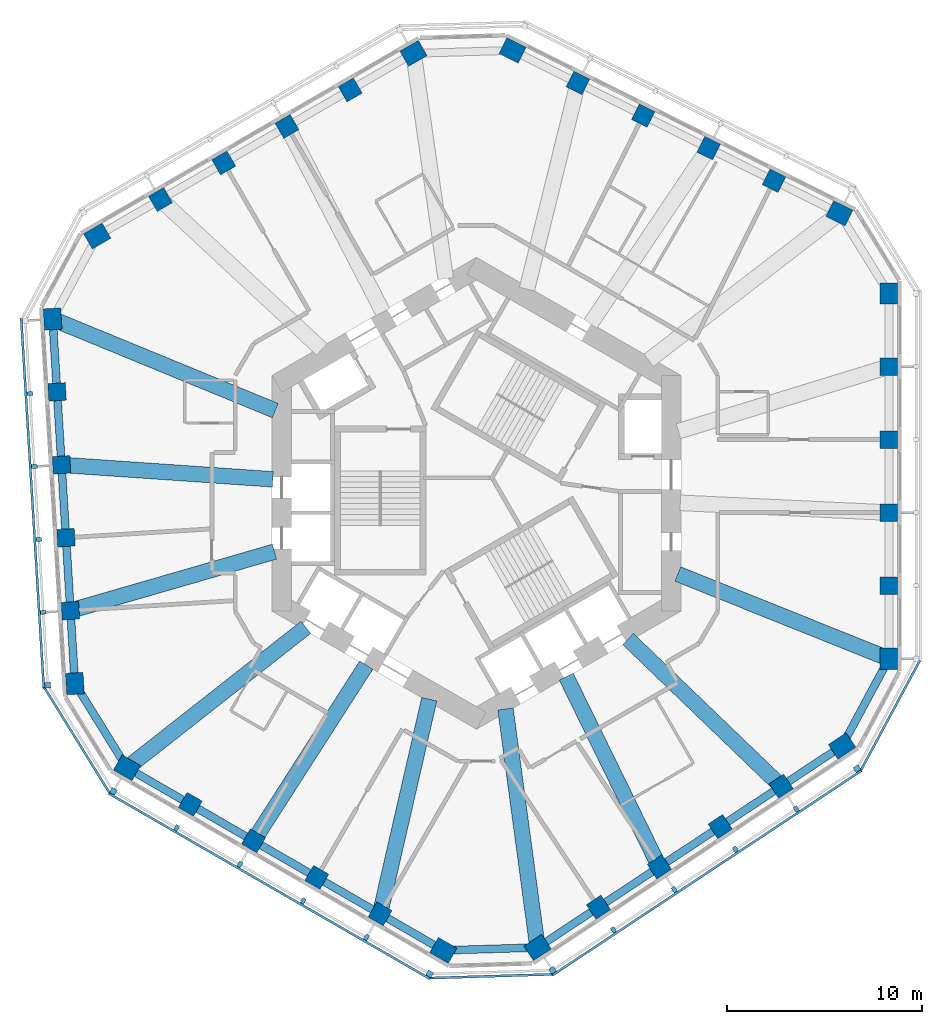
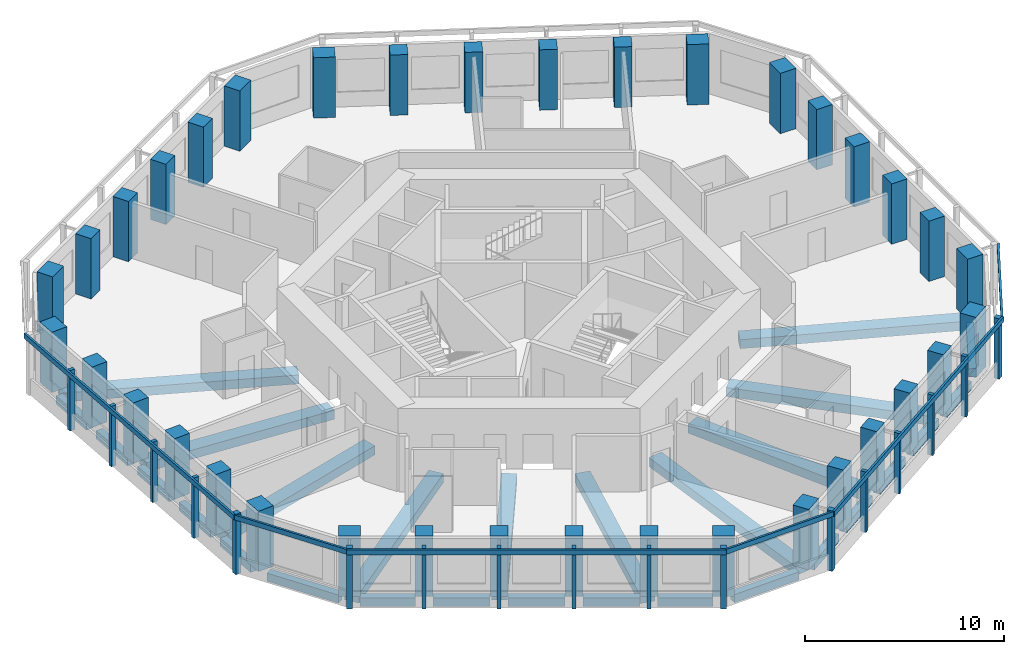
# One storey, part 1 of 11: 36 columns, 28 beams, 23 members, 6 elements without a shape of their own.
"""IFC4 building model written with IfcOpenShell, lengths in metres."""

from ifc_helpers import new_model, si_unit, direction, frame, origin, origin_2d, place, context, subcontext, project, spatial, rectangle, extrude, material, material_profile, profile_set, type_object, element, aggregate, save


model = new_model("IFC4")

# Units and contexts
model_context = context("Model", 3, precision=1e-05, world=origin(), true_north=direction((0.0, 1.0)))
body_context = subcontext(model_context, "Body", "Model", "MODEL_VIEW")
ifc_project = project(units=[si_unit("LENGTHUNIT", "METRE"), si_unit("AREAUNIT", "SQUARE_METRE"), si_unit("VOLUMEUNIT", "CUBIC_METRE"), si_unit("PLANEANGLEUNIT", "RADIAN"), si_unit("MASSUNIT", "GRAM", prefix="KILO")], contexts=[model_context])

# Site, building, storey
site_placement = place(None, origin())
site = spatial("IfcSite", under=ifc_project, at=site_placement, CompositionType="ELEMENT")
building_placement = place(site_placement, origin())
building = spatial("IfcBuilding", under=site, at=building_placement, Name="Vanh Sen Convention Tower", CompositionType="ELEMENT")
storey_placement = place(building_placement, frame((0.0, 0.0, 183.60009765625)))
storey = spatial("IfcBuildingStorey", under=building, at=storey_placement, Name="L45", CompositionType="ELEMENT", Elevation=183.60009765625)

# Columns
ifc_material_1 = material(Name="Concrete C80/95", Category="concrete")
ifc_material_profile_1 = material_profile(ifc_material_1, rectangle(XDim=0.89990234375, YDim=0.89990234375, at=origin_2d()), Name="RC 900X900")
ifc_profile_set_1 = profile_set([ifc_material_profile_1], Name="Concrete C80/95")
column_type_1 = type_object("IfcColumnType", Name="Facade column 900 x 900 C80/95", PredefinedType="COLUMN", material=ifc_profile_set_1)
for number, where, z_axis, x_axis, name in (
    (1, (21.199951171875, -4.746826171875, 0.0), (0.0, 0.0, 1.0), (0.0, 1.0, 0.0), "Facade column 02 L45"),
    (2, (21.199951171875, -0.992919921875, 0.0), (0.0, 0.0, 1.0), (0.0, 1.0, 0.0), "Facade column 03 L45"),
    (3, (21.199951171875, 2.76123046875, 0.0), (0.0, 0.0, 1.0), (0.0, 1.0, 0.0), "Facade column 04 L45"),
    (4, (21.199951171875, 6.515380859375, 0.0), (0.0, 0.0, 1.0), (0.0, 1.0, 0.0), "Facade column 05 L45"),
    (5, (15.290283203125, 16.0654296875, 0.0), (0.0, 0.0, 1.0), (-0.894934361602, 0.44619781311, 0.0), "Facade column 08 L45"),
    (6, (11.9306640625, 17.740478515625, 0.0), (0.0, 0.0, 1.0), (-0.894934361602, 0.44619781311, 0.0), "Facade column 09 L45"),
    (7, (8.57080078125, 19.41552734375, 0.0), (0.0, 0.0, 1.0), (-0.894934361602, 0.44619781311, 0.0), "Facade column 10 L45"),
    (8, (5.211181640625, 21.0908203125, 0.0), (0.0, 0.0, 1.0), (-0.894934361602, 0.44619781311, 0.0), "Facade column 11 L45"),
    (9, (-6.489013671875, 20.733154296875, 0.0), (0.0, 0.0, 1.0), (-0.866025403784, -0.5, 0.0), "Facade column 14 L45"),
    (10, (-9.740234375, 18.856201171875, 0.0), (0.0, 0.0, 1.0), (-0.866025403784, -0.5, 0.0), "Facade column 15 L45"),
    (11, (-12.991455078125, 16.97900390625, 0.0), (0.0, 0.0, 1.0), (-0.866025403784, -0.5, 0.0), "Facade column 16 L45"),
    (12, (-16.242431640625, 15.10205078125, 0.0), (0.0, 0.0, 1.0), (-0.866025403784, -0.5, 0.0), "Facade column 17 L45"),
    (13, (-21.55810546875, 5.208984375, 0.0), (0.0, 0.0, 1.0), (0.061048539535, -0.998134798422, 0.0), "Facade column 20 L45"),
    (14, (-21.3291015625, 1.4619140625, 0.0), (0.0, 0.0, 1.0), (0.061048539535, -0.998134798422, 0.0), "Facade column 21 L45"),
    (15, (-21.099853515625, -2.28515625, 0.0), (0.0, 0.0, 1.0), (0.061048539535, -0.998134798422, 0.0), "Facade column 22 L45"),
    (16, (-20.87060546875, -6.0322265625, 0.0), (0.0, 0.0, 1.0), (0.061048539535, -0.998134798422, 0.0), "Facade column 23 L45"),
    (17, (-14.7109375, -15.986328125, 0.0), (0.0, 0.0, 1.0), (0.866025403784, -0.5, 0.0), "Facade column 26 L45"),
    (18, (-11.459716796875, -17.86328125, 0.0), (0.0, 0.0, 1.0), (0.866025403784, -0.5, 0.0), "Facade column 27 L45"),
    (19, (-8.20849609375, -19.740478515625, 0.0), (0.0, 0.0, 1.0), (0.866025403784, -0.5, 0.0), "Facade column 28 L45"),
    (20, (-4.95751953125, -21.617431640625, 0.0), (0.0, 0.0, 1.0), (0.866025403784, -0.5, 0.0), "Facade column 29 L45"),
    (21, (6.267822265625, -21.2744140625, 0.0), (0.0, 0.0, 1.0), (0.833885822067, 0.551936985312, 0.0), "Facade column 32 L45"),
    (22, (9.3984375, -19.202392578125, 0.0), (0.0, 0.0, 1.0), (0.833885822067, 0.551936985312, 0.0), "Facade column 33 L45"),
    (23, (12.52880859375, -17.13037109375, 0.0), (0.0, 0.0, 1.0), (0.833885822067, 0.551936985312, 0.0), "Facade column 34 L45"),
    (24, (15.659423828125, -15.058349609375, 0.0), (0.0, 0.0, 1.0), (0.833885822067, 0.551936985312, 0.0), "Facade column 35 L45"),
):
    element("IfcColumn", number, at=place(storey_placement, frame(where, z_axis=z_axis, x_axis=x_axis)), inside=storey, type_object=column_type_1, Name=name, PredefinedType="COLUMN", context=body_context, shape_type="SweptSolid", body=[
        extrude(rectangle(XDim=0.89990234375, YDim=0.89990234375, at=origin_2d()), origin(), (0.0, 0.0, 1.0), 3.699951171875),
    ])
ifc_material_profile_2 = material_profile(ifc_material_1, rectangle(XDim=1.10009765625, YDim=0.89990234375, at=origin_2d()), Name="RC 1100X900")
ifc_profile_set_2 = profile_set([ifc_material_profile_2], Name="Concrete C80/95")
column_type_2 = type_object("IfcColumnType", Name="Facade corner column 1100 x 900 C80/95", PredefinedType="COLUMN", material=ifc_profile_set_2)
for number, where, z_axis, x_axis, name in (
    (25, (21.199951171875, -8.5009765625, 0.0), (0.0, 0.0, 1.0), (0.0, 1.0, 0.0), "Facade column 01 L45"),
    (26, (21.199951171875, 10.26953125, 0.0), (0.0, 0.0, 1.0), (0.0, 1.0, 0.0), "Facade column 06 L45"),
    (27, (18.64990234375, 14.390380859375, 0.0), (0.0, 0.0, 1.0), (-0.894934361602, 0.44619781311, 0.0), "Facade column 07 L45"),
    (28, (1.8515625, 22.765625, 0.0), (0.0, 0.0, 1.0), (-0.894934361602, 0.44619781311, 0.0), "Facade column 12 L45"),
    (29, (-3.23779296875, 22.610107421875, 0.0), (0.0, 0.0, 1.0), (-0.866025403784, -0.5, 0.0), "Facade column 13 L45"),
    (30, (-19.49365234375, 13.22509765625, 0.0), (0.0, 0.0, 1.0), (-0.866025403784, -0.5, 0.0), "Facade column 18 L45"),
    (31, (-21.787353515625, 8.956298828125, 0.0), (0.0, 0.0, 1.0), (0.061048539535, -0.998134798422, 0.0), "Facade column 19 L45"),
    (32, (-20.6416015625, -9.779296875, 0.0), (0.0, 0.0, 1.0), (0.061048539535, -0.998134798422, 0.0), "Facade column 24 L45"),
    (33, (-17.962158203125, -14.109130859375, 0.0), (0.0, 0.0, 1.0), (0.866025403784, -0.5, 0.0), "Facade column 25 L45"),
    (34, (-1.706298828125, -23.494384765625, 0.0), (0.0, 0.0, 1.0), (0.866025403784, -0.5, 0.0), "Facade column 30 L45"),
    (35, (3.137451171875, -23.346435546875, 0.0), (0.0, 0.0, 1.0), (0.833885822067, 0.551936985312, 0.0), "Facade column 31 L45"),
    (36, (18.789794921875, -12.986328125, 0.0), (0.0, 0.0, 1.0), (0.833885822067, 0.551936985312, 0.0), "Facade column 36 L45"),
):
    element("IfcColumn", number, at=place(storey_placement, frame(where, z_axis=z_axis, x_axis=x_axis)), inside=storey, type_object=column_type_2, Name=name, PredefinedType="COLUMN", context=body_context, shape_type="SweptSolid", body=[
        extrude(rectangle(XDim=1.10009765625, YDim=0.89990234375, at=origin_2d()), origin(), (0.0, 0.0, 1.0), 3.699951171875),
    ])

# Curtain wall, member
ifc_material_2 = material(Name="Concrete C50/60", Category="concrete")
curtain_wall_type = type_object("IfcCurtainWallType", Name="Outer skin office zone", PredefinedType="NOTDEFINED", material=ifc_material_2)
curtain_wall_1_placement = place(storey_placement, origin())
curtain_wall_1 = element("IfcCurtainWall", 37, at=curtain_wall_1_placement, inside=storey, type_object=curtain_wall_type, Name="OUTER SKIN W L45", PredefinedType="NOTDEFINED")
ifc_material_profile_3 = material_profile(ifc_material_2, rectangle(XDim=0.300048828125, YDim=0.300048828125, at=origin_2d()), Name="Outer skin precast corner fin 300 x 300")
ifc_profile_set_3 = profile_set([ifc_material_profile_3], Name="Concrete C50/60")
member_type_1 = type_object("IfcMemberType", Name="Outer skin precast corner fin 300 x 300", PredefinedType="MULLION", material=ifc_profile_set_3)
member_1_placement = place(storey_placement, frame((-22.038818359375, -9.864990234375, 0.0), z_axis=(0.0, 0.0, 1.0), x_axis=(0.061048539535, -0.998134798422, 0.0)))
member_1 = element("IfcMember", 38, at=member_1_placement, type_object=member_type_1, Name="OUTER SKIN CORNER FIN 6 W L45", PredefinedType="MULLION", context=body_context, shape_type="SweptSolid", body=[
    extrude(rectangle(XDim=0.300048828125, YDim=0.300048828125, at=origin_2d()), origin(), (0.0, 0.0, 1.0), 3.699951171875),
])

# Curtain wall, members
curtain_wall_2_placement = place(storey_placement, origin())
curtain_wall_2 = element("IfcCurtainWall", 39, at=curtain_wall_2_placement, inside=storey, type_object=curtain_wall_type, Name="OUTER SKIN SW L45", PredefinedType="NOTDEFINED")
member_2_placement = place(storey_placement, frame((-18.662109375, -15.321533203125, 0.0), z_axis=(0.0, 0.0, 1.0), x_axis=(0.866025403784, -0.5, 0.0)))
member_2 = element("IfcMember", 40, at=member_2_placement, type_object=member_type_1, Name="OUTER SKIN CORNER FIN 1 SW L45", PredefinedType="MULLION", context=body_context, shape_type="SweptSolid", body=[
    extrude(rectangle(XDim=0.300048828125, YDim=0.300048828125, at=origin_2d()), origin(), (0.0, 0.0, 1.0), 3.699951171875),
])
member_3_placement = place(storey_placement, frame((-2.40625, -24.706787109375, 0.0), z_axis=(0.0, 0.0, 1.0), x_axis=(0.866025403784, -0.5, 0.0)))
member_3 = element("IfcMember", 41, at=member_3_placement, type_object=member_type_1, Name="OUTER SKIN CORNER FIN 6 SW L45", PredefinedType="MULLION", context=body_context, shape_type="SweptSolid", body=[
    extrude(rectangle(XDim=0.300048828125, YDim=0.300048828125, at=origin_2d()), origin(), (0.0, 0.0, 1.0), 3.699951171875),
])

curtain_wall_3_placement = place(storey_placement, origin())
curtain_wall_3 = element("IfcCurtainWall", 42, at=curtain_wall_3_placement, inside=storey, type_object=curtain_wall_type, Name="OUTER SKIN SE L45", PredefinedType="NOTDEFINED")
member_4_placement = place(storey_placement, frame((3.91015625, -24.513916015625, 0.0), z_axis=(0.0, 0.0, 1.0), x_axis=(0.833885822067, 0.551936985312, 0.0)))
member_4 = element("IfcMember", 43, at=member_4_placement, type_object=member_type_1, Name="OUTER SKIN CORNER FIN 1 SE L45", PredefinedType="MULLION", context=body_context, shape_type="SweptSolid", body=[
    extrude(rectangle(XDim=0.300048828125, YDim=0.300048828125, at=origin_2d()), origin(), (0.0, 0.0, 1.0), 3.699951171875),
])
member_5_placement = place(storey_placement, frame((19.5625, -14.15380859375, 0.0), z_axis=(0.0, 0.0, 1.0), x_axis=(0.833885822067, 0.551936985312, 0.0)))
member_5 = element("IfcMember", 44, at=member_5_placement, type_object=member_type_1, Name="OUTER SKIN CORNER FIN 6 SE L45", PredefinedType="MULLION", context=body_context, shape_type="SweptSolid", body=[
    extrude(rectangle(XDim=0.300048828125, YDim=0.300048828125, at=origin_2d()), origin(), (0.0, 0.0, 1.0), 3.699951171875),
])

# Member
ifc_material_profile_4 = material_profile(ifc_material_2, rectangle(XDim=0.199951171875, YDim=0.300048828125, at=origin_2d()), Name="Outer skin precast fin 200 x 300")
ifc_profile_set_4 = profile_set([ifc_material_profile_4], Name="Concrete C50/60")
member_type_2 = type_object("IfcMemberType", Name="Outer skin precast fin 200 x 300", PredefinedType="MULLION", material=ifc_profile_set_4)
member_6_placement = place(storey_placement, frame((-22.95556640625, 5.12353515625, 0.0), z_axis=(0.0, 0.0, 1.0), x_axis=(0.061048539535, -0.998134798422, 0.0)))
member_6 = element("IfcMember", 45, at=member_6_placement, type_object=member_type_2, Name="OUTER SKIN fin 2 W L45", PredefinedType="MULLION", context=body_context, shape_type="SweptSolid", body=[
    extrude(rectangle(XDim=0.199951171875, YDim=0.300048828125, at=origin_2d()), origin(), (0.0, 0.0, 1.0), 3.699951171875),
])

member_7_placement = place(storey_placement, frame((-22.726318359375, 1.37646484375, 0.0), z_axis=(0.0, 0.0, 1.0), x_axis=(0.061048539535, -0.998134798422, 0.0)))
member_7 = element("IfcMember", 46, at=member_7_placement, type_object=member_type_2, Name="OUTER SKIN fin 3 W L45", PredefinedType="MULLION", context=body_context, shape_type="SweptSolid", body=[
    extrude(rectangle(XDim=0.199951171875, YDim=0.300048828125, at=origin_2d()), origin(), (0.0, 0.0, 1.0), 3.699951171875),
])

member_8_placement = place(storey_placement, frame((-22.497314453125, -2.37060546875, 0.0), z_axis=(0.0, 0.0, 1.0), x_axis=(0.061048539535, -0.998134798422, 0.0)))
member_8 = element("IfcMember", 47, at=member_8_placement, type_object=member_type_2, Name="OUTER SKIN fin 4 W L45", PredefinedType="MULLION", context=body_context, shape_type="SweptSolid", body=[
    extrude(rectangle(XDim=0.199951171875, YDim=0.300048828125, at=origin_2d()), origin(), (0.0, 0.0, 1.0), 3.699951171875),
])

member_9_placement = place(storey_placement, frame((-22.26806640625, -6.117919921875, 0.0), z_axis=(0.0, 0.0, 1.0), x_axis=(0.061048539535, -0.998134798422, 0.0)))
member_9 = element("IfcMember", 48, at=member_9_placement, type_object=member_type_2, Name="OUTER SKIN fin 5 W L45", PredefinedType="MULLION", context=body_context, shape_type="SweptSolid", body=[
    extrude(rectangle(XDim=0.199951171875, YDim=0.300048828125, at=origin_2d()), origin(), (0.0, 0.0, 1.0), 3.699951171875),
])

member_10_placement = place(storey_placement, frame((-15.410888671875, -17.19873046875, 0.0), z_axis=(0.0, 0.0, 1.0), x_axis=(0.866025403784, -0.5, 0.0)))
member_10 = element("IfcMember", 49, at=member_10_placement, type_object=member_type_2, Name="OUTER SKIN fin 2 SW L45", PredefinedType="MULLION", context=body_context, shape_type="SweptSolid", body=[
    extrude(rectangle(XDim=0.199951171875, YDim=0.300048828125, at=origin_2d()), origin(), (0.0, 0.0, 1.0), 3.699951171875),
])

member_11_placement = place(storey_placement, frame((-12.159912109375, -19.07568359375, 0.0), z_axis=(0.0, 0.0, 1.0), x_axis=(0.866025403784, -0.5, 0.0)))
member_11 = element("IfcMember", 50, at=member_11_placement, type_object=member_type_2, Name="OUTER SKIN fin 3 SW L45", PredefinedType="MULLION", context=body_context, shape_type="SweptSolid", body=[
    extrude(rectangle(XDim=0.199951171875, YDim=0.300048828125, at=origin_2d()), origin(), (0.0, 0.0, 1.0), 3.699951171875),
])

member_12_placement = place(storey_placement, frame((-8.90869140625, -20.952880859375, 0.0), z_axis=(0.0, 0.0, 1.0), x_axis=(0.866025403784, -0.5, 0.0)))
member_12 = element("IfcMember", 51, at=member_12_placement, type_object=member_type_2, Name="OUTER SKIN fin 4 SW L45", PredefinedType="MULLION", context=body_context, shape_type="SweptSolid", body=[
    extrude(rectangle(XDim=0.199951171875, YDim=0.300048828125, at=origin_2d()), origin(), (0.0, 0.0, 1.0), 3.699951171875),
])

member_13_placement = place(storey_placement, frame((-5.657470703125, -22.829833984375, 0.0), z_axis=(0.0, 0.0, 1.0), x_axis=(0.866025403784, -0.5, 0.0)))
member_13 = element("IfcMember", 52, at=member_13_placement, type_object=member_type_2, Name="OUTER SKIN fin 5 SW L45", PredefinedType="MULLION", context=body_context, shape_type="SweptSolid", body=[
    extrude(rectangle(XDim=0.199951171875, YDim=0.300048828125, at=origin_2d()), origin(), (0.0, 0.0, 1.0), 3.699951171875),
])

member_14_placement = place(storey_placement, frame((7.04052734375, -22.44189453125, 0.0), z_axis=(0.0, 0.0, 1.0), x_axis=(0.833885822067, 0.551936985312, 0.0)))
member_14 = element("IfcMember", 53, at=member_14_placement, type_object=member_type_2, Name="OUTER SKIN fin 2 SE L45", PredefinedType="MULLION", context=body_context, shape_type="SweptSolid", body=[
    extrude(rectangle(XDim=0.199951171875, YDim=0.300048828125, at=origin_2d()), origin(), (0.0, 0.0, 1.0), 3.699951171875),
])

member_15_placement = place(storey_placement, frame((10.171142578125, -20.369873046875, 0.0), z_axis=(0.0, 0.0, 1.0), x_axis=(0.833885822067, 0.551936985312, 0.0)))
member_15 = element("IfcMember", 54, at=member_15_placement, type_object=member_type_2, Name="OUTER SKIN fin 3 SE L45", PredefinedType="MULLION", context=body_context, shape_type="SweptSolid", body=[
    extrude(rectangle(XDim=0.199951171875, YDim=0.300048828125, at=origin_2d()), origin(), (0.0, 0.0, 1.0), 3.699951171875),
])

member_16_placement = place(storey_placement, frame((13.301513671875, -18.2978515625, 0.0), z_axis=(0.0, 0.0, 1.0), x_axis=(0.833885822067, 0.551936985312, 0.0)))
member_16 = element("IfcMember", 55, at=member_16_placement, type_object=member_type_2, Name="OUTER SKIN fin 4 SE L45", PredefinedType="MULLION", context=body_context, shape_type="SweptSolid", body=[
    extrude(rectangle(XDim=0.199951171875, YDim=0.300048828125, at=origin_2d()), origin(), (0.0, 0.0, 1.0), 3.699951171875),
])

member_17_placement = place(storey_placement, frame((16.43212890625, -16.225830078125, 0.0), z_axis=(0.0, 0.0, 1.0), x_axis=(0.833885822067, 0.551936985312, 0.0)))
member_17 = element("IfcMember", 56, at=member_17_placement, type_object=member_type_2, Name="OUTER SKIN fin 5 SE L45", PredefinedType="MULLION", context=body_context, shape_type="SweptSolid", body=[
    extrude(rectangle(XDim=0.199951171875, YDim=0.300048828125, at=origin_2d()), origin(), (0.0, 0.0, 1.0), 3.699951171875),
])

ifc_material_profile_5 = material_profile(ifc_material_2, rectangle(XDim=0.1201171875, YDim=0.300048828125, at=origin_2d()), Name="Outer skin precast spandrel band 300 x 120")
ifc_profile_set_5 = profile_set([ifc_material_profile_5], Name="Concrete C50/60")
member_type_3 = type_object("IfcMemberType", Name="Outer skin precast spandrel band 300 x 120", PredefinedType="USERDEFINED", material=ifc_profile_set_5)
member_18_placement = place(storey_placement, frame((-23.403564453125, 9.007568359375, 3.5498046875), z_axis=(0.061052799403, -0.998134537868, 0.0), x_axis=(0.998134537868, 0.061052799403, 0.0)))
member_18 = element("IfcMember", 57, at=member_18_placement, type_object=member_type_3, Name="OUTER SKIN spandrel band W L45", ObjectType="TRANSOM", PredefinedType="USERDEFINED", context=body_context, shape_type="SweptSolid", body=[
    extrude(rectangle(XDim=0.1201171875, YDim=0.300048828125, at=origin_2d()), origin(), (0.0, 0.0, 1.0), 19.070556640625),
])

aggregate(curtain_wall_1, [member_6, member_7, member_8, member_9, member_1, member_18])

# Curtain wall, member
curtain_wall_4_placement = place(storey_placement, origin())
curtain_wall_4 = element("IfcCurtainWall", 58, at=curtain_wall_4_placement, inside=storey, type_object=curtain_wall_type, Name="OUTER SKIN CH4 L45", PredefinedType="NOTDEFINED")
member_19_placement = place(storey_placement, frame((-22.217529296875, -9.975341796875, 3.5498046875), z_axis=(0.526207913146, -0.85035594438, 0.0), x_axis=(0.85035594438, 0.526207913146, 0.0)))
member_19 = element("IfcMember", 59, at=member_19_placement, type_object=member_type_3, Name="OUTER SKIN spandrel band CH4 L45", ObjectType="TRANSOM", PredefinedType="USERDEFINED", context=body_context, shape_type="SweptSolid", body=[
    extrude(rectangle(XDim=0.1201171875, YDim=0.300048828125, at=origin_2d()), origin(), (0.0, 0.0, 1.0), 6.4169921875),
])
aggregate(curtain_wall_4, [member_19])

# Member
member_20_placement = place(storey_placement, frame((-18.89697265625, -15.428466796875, 3.5498046875), z_axis=(0.866023136587, -0.500003926881, 0.0), x_axis=(0.500003926881, 0.866023136587, 0.0)))
member_20 = element("IfcMember", 60, at=member_20_placement, type_object=member_type_3, Name="OUTER SKIN spandrel band SW L45", ObjectType="TRANSOM", PredefinedType="USERDEFINED", context=body_context, shape_type="SweptSolid", body=[
    extrude(rectangle(XDim=0.1201171875, YDim=0.300048828125, at=origin_2d()), origin(), (0.0, 0.0, 1.0), 19.070556640625),
])

aggregate(curtain_wall_2, [member_2, member_10, member_11, member_12, member_13, member_3, member_20])

# Curtain wall, member
curtain_wall_5_placement = place(storey_placement, origin())
curtain_wall_5 = element("IfcCurtainWall", 61, at=curtain_wall_5_placement, inside=storey, type_object=curtain_wall_type, Name="OUTER SKIN CH5 L45", PredefinedType="NOTDEFINED")
member_21_placement = place(storey_placement, frame((-2.39990234375, -24.916748046875, 3.5498046875), z_axis=(0.99953413443, 0.030520716071, 0.0), x_axis=(-0.030520716071, 0.99953413443, 0.0)))
member_21 = element("IfcMember", 62, at=member_21_placement, type_object=member_type_3, Name="OUTER SKIN spandrel band CH5 L45", ObjectType="TRANSOM", PredefinedType="USERDEFINED", context=body_context, shape_type="SweptSolid", body=[
    extrude(rectangle(XDim=0.1201171875, YDim=0.300048828125, at=origin_2d()), origin(), (0.0, 0.0, 1.0), 6.3193359375),
])
aggregate(curtain_wall_5, [member_21])

# Member
member_22_placement = place(storey_placement, frame((3.90087890625, -24.771728515625, 3.5498046875), z_axis=(0.833891134859, 0.551928958475, 0.0), x_axis=(-0.551928958475, 0.833891134859, 0.0)))
member_22 = element("IfcMember", 63, at=member_22_placement, type_object=member_type_3, Name="OUTER SKIN spandrel band SE L45", ObjectType="TRANSOM", PredefinedType="USERDEFINED", context=body_context, shape_type="SweptSolid", body=[
    extrude(rectangle(XDim=0.1201171875, YDim=0.300048828125, at=origin_2d()), origin(), (0.0, 0.0, 1.0), 19.070556640625),
])

aggregate(curtain_wall_3, [member_4, member_14, member_15, member_16, member_17, member_5, member_22])

# Curtain wall, member
curtain_wall_6_placement = place(storey_placement, origin())
curtain_wall_6 = element("IfcCurtainWall", 64, at=curtain_wall_6_placement, inside=storey, type_object=curtain_wall_type, Name="OUTER SKIN CH6 L45", PredefinedType="NOTDEFINED")
member_23_placement = place(storey_placement, frame((19.74755859375, -14.253173828125, 3.5498046875), z_axis=(0.473316922434, 0.880892213008, 0.0), x_axis=(-0.880892213008, 0.473316922434, 0.0)))
member_23 = element("IfcMember", 65, at=member_23_placement, type_object=member_type_3, Name="OUTER SKIN spandrel band CH6 L45", ObjectType="TRANSOM", PredefinedType="USERDEFINED", context=body_context, shape_type="SweptSolid", body=[
    extrude(rectangle(XDim=0.1201171875, YDim=0.300048828125, at=origin_2d()), origin(), (0.0, 0.0, 1.0), 6.417236328125),
])
aggregate(curtain_wall_6, [member_23])

# Beams
ifc_material_3 = material(Name="Concrete C50/60", Category="concrete")
ifc_material_profile_6 = material_profile(ifc_material_3, rectangle(XDim=0.800048828125, YDim=0.550048828125, at=origin_2d()), Name="RC 800X550")
ifc_profile_set_6 = profile_set([ifc_material_profile_6], Name="Concrete C50/60")
beam_type_1 = type_object("IfcBeamType", Name="Radial floor beam 800 x 550", PredefinedType="BEAM", material=ifc_profile_set_6)
beam_1_placement = place(storey_placement, frame((20.903564453125, -8.382080078125, -0.55517578125), z_axis=(-0.928156603648, 0.372189896565, 0.0), x_axis=(-0.372189896565, -0.928156603648, 0.0)))
element("IfcBeam", 66, at=beam_1_placement, inside=storey, type_object=beam_type_1, Name="Radial beam 01 L45", PredefinedType="BEAM", context=body_context, shape_type="SweptSolid", body=[
    extrude(rectangle(XDim=0.800048828125, YDim=0.550048828125, at=origin_2d()), origin(), (0.0, 0.0, 1.0), 11.374267578125),
])
beam_2_placement = place(storey_placement, frame((-21.5087890625, 8.841796875, -0.55517578125), z_axis=(0.924896155716, -0.38021980635, 0.0), x_axis=(0.38021980635, 0.924896155716, 0.0)))
element("IfcBeam", 67, at=beam_2_placement, inside=storey, type_object=beam_type_1, Name="Radial beam 10 L45", PredefinedType="BEAM", context=body_context, shape_type="SweptSolid", body=[
    extrude(rectangle(XDim=0.800048828125, YDim=0.550048828125, at=origin_2d()), origin(), (0.0, 0.0, 1.0), 12.072265625),
])
beam_3_placement = place(storey_placement, frame((-20.93310546875, 1.434814453125, -0.55517578125), z_axis=(0.997659434277, -0.068378748143, 0.0), x_axis=(0.068378748143, 0.997659434277, 0.0)))
element("IfcBeam", 68, at=beam_3_placement, inside=storey, type_object=beam_type_1, Name="Radial beam 11 L45", PredefinedType="BEAM", context=body_context, shape_type="SweptSolid", body=[
    extrude(rectangle(XDim=0.800048828125, YDim=0.550048828125, at=origin_2d()), origin(), (0.0, 0.0, 1.0), 10.489990234375),
])
beam_4_placement = place(storey_placement, frame((-20.61328125, -5.9580078125, -0.55517578125), z_axis=(0.96067232832, 0.277684492906, 0.0), x_axis=(-0.277684492906, 0.96067232832, 0.0)))
element("IfcBeam", 69, at=beam_4_placement, inside=storey, type_object=beam_type_1, Name="Radial beam 12 L45", PredefinedType="BEAM", context=body_context, shape_type="SweptSolid", body=[
    extrude(rectangle(XDim=0.800048828125, YDim=0.550048828125, at=origin_2d()), origin(), (0.0, 0.0, 1.0), 10.64794921875),
])
beam_5_placement = place(storey_placement, frame((-17.7109375, -13.911865234375, -0.55517578125), z_axis=(0.786403987122, 0.617712529449, 0.0), x_axis=(-0.617712529449, 0.786403987122, 0.0)))
element("IfcBeam", 70, at=beam_5_placement, inside=storey, type_object=beam_type_1, Name="Radial beam 13 L45", PredefinedType="BEAM", context=body_context, shape_type="SweptSolid", body=[
    extrude(rectangle(XDim=0.800048828125, YDim=0.550048828125, at=origin_2d()), origin(), (0.0, 0.0, 1.0), 11.3740234375),
])
beam_6_placement = place(storey_placement, frame((-11.2294921875, -17.504150390625, -0.55517578125), z_axis=(0.539967356894, 0.841685958947, 0.0), x_axis=(-0.841685958947, 0.539967356894, 0.0)))
element("IfcBeam", 71, at=beam_6_placement, inside=storey, type_object=beam_type_1, Name="Radial beam 14 L45", PredefinedType="BEAM", context=body_context, shape_type="SweptSolid", body=[
    extrude(rectangle(XDim=0.800048828125, YDim=0.550048828125, at=origin_2d()), origin(), (0.0, 0.0, 1.0), 10.308837890625),
])
beam_7_placement = place(storey_placement, frame((-4.9072265625, -21.39794921875, -0.55517578125), z_axis=(0.223532057965, 0.974696577947, 0.0), x_axis=(-0.974696577947, 0.223532057965, 0.0)))
element("IfcBeam", 72, at=beam_7_placement, inside=storey, type_object=beam_type_1, Name="Radial beam 15 L45", PredefinedType="BEAM", context=body_context, shape_type="SweptSolid", body=[
    extrude(rectangle(XDim=0.800048828125, YDim=0.550048828125, at=origin_2d()), origin(), (0.0, 0.0, 1.0), 11.0966796875),
])
beam_8_placement = place(storey_placement, frame((3.097412109375, -23.0478515625, -0.55517578125), z_axis=(-0.133194270132, 0.991089948695, 0.0), x_axis=(-0.991089948695, -0.133194270132, 0.0)))
element("IfcBeam", 73, at=beam_8_placement, inside=storey, type_object=beam_type_1, Name="Radial beam 16 L45", PredefinedType="BEAM", context=body_context, shape_type="SweptSolid", body=[
    extrude(rectangle(XDim=0.800048828125, YDim=0.550048828125, at=origin_2d()), origin(), (0.0, 0.0, 1.0), 12.072021484375),
])
beam_9_placement = place(storey_placement, frame((9.22412109375, -18.84619140625, -0.55517578125), z_axis=(-0.439610391955, 0.898188567777, 0.0), x_axis=(-0.898188567777, -0.439610391955, 0.0)))
element("IfcBeam", 74, at=beam_9_placement, inside=storey, type_object=beam_type_1, Name="Radial beam 17 L45", PredefinedType="BEAM", context=body_context, shape_type="SweptSolid", body=[
    extrude(rectangle(XDim=0.800048828125, YDim=0.550048828125, at=origin_2d()), origin(), (0.0, 0.0, 1.0), 10.490234375),
])
beam_10_placement = place(storey_placement, frame((15.46630859375, -14.87255859375, -0.55517578125), z_axis=(-0.720808831616, 0.693133917987, 0.0), x_axis=(-0.693133917987, -0.720808831616, 0.0)))
element("IfcBeam", 75, at=beam_10_placement, inside=storey, type_object=beam_type_1, Name="Radial beam 18 L45", PredefinedType="BEAM", context=body_context, shape_type="SweptSolid", body=[
    extrude(rectangle(XDim=0.800048828125, YDim=0.550048828125, at=origin_2d()), origin(), (0.0, 0.0, 1.0), 10.64794921875),
])
ifc_material_profile_7 = material_profile(ifc_material_3, rectangle(XDim=0.39990234375, YDim=0.5, at=origin_2d()), Name="RC 400X500")
ifc_profile_set_7 = profile_set([ifc_material_profile_7], Name="Concrete C50/60")
beam_type_2 = type_object("IfcBeamType", Name="Spandrel beam 400 x 500", PredefinedType="SPANDREL", material=ifc_profile_set_7)
beam_11_placement = place(storey_placement, frame((-21.754150390625, 8.412353515625, -0.530029296875), z_axis=(0.061031049006, -0.998135868035, 0.0), x_axis=(0.998135868035, 0.061031049006, 0.0)))
element("IfcBeam", 76, at=beam_11_placement, inside=storey, type_object=beam_type_2, Name="Spandrel beam 19 L45", PredefinedType="SPANDREL", context=body_context, shape_type="SweptSolid", body=[
    extrude(rectangle(XDim=0.39990234375, YDim=0.5, at=origin_2d()), origin(), (0.0, 0.0, 1.0), 2.76416015625),
])
for number, where, z_axis, x_axis, name in (
    (77, (-21.531005859375, 4.764892578125, -0.530029296875), (0.06103034265, -0.998135911225, 0.0), (0.998135911225, 0.06103034265, 0.0), "Spandrel beam 20 L45"),
    (78, (-21.3017578125, 1.017822265625, -0.530029296875), (0.06103034265, -0.998135911225, 0.0), (0.998135911225, 0.06103034265, 0.0), "Spandrel beam 21 L45"),
):
    element("IfcBeam", number, at=place(storey_placement, frame(where, z_axis=z_axis, x_axis=x_axis)), inside=storey, type_object=beam_type_2, Name=name, PredefinedType="SPANDREL", context=body_context, shape_type="SweptSolid", body=[
        extrude(rectangle(XDim=0.39990234375, YDim=0.5, at=origin_2d()), origin(), (0.0, 0.0, 1.0), 2.8642578125),
    ])
beam_12_placement = place(storey_placement, frame((-21.072509765625, -2.7294921875, -0.530029296875), z_axis=(0.060950607236, -0.998140783396, 0.0), x_axis=(0.998140783396, 0.060950607236, 0.0)))
element("IfcBeam", 79, at=beam_12_placement, inside=storey, type_object=beam_type_2, Name="Spandrel beam 22 L45", PredefinedType="SPANDREL", context=body_context, shape_type="SweptSolid", body=[
    extrude(rectangle(XDim=0.39990234375, YDim=0.5, at=origin_2d()), origin(), (0.0, 0.0, 1.0), 2.864013671875),
])
beam_13_placement = place(storey_placement, frame((-20.843505859375, -6.476318359375, -0.530029296875), z_axis=(0.061025669095, -0.998136196975, 0.0), x_axis=(0.998136196975, 0.061025669095, 0.0)))
element("IfcBeam", 80, at=beam_13_placement, inside=storey, type_object=beam_type_2, Name="Spandrel beam 23 L45", PredefinedType="SPANDREL", context=body_context, shape_type="SweptSolid", body=[
    extrude(rectangle(XDim=0.39990234375, YDim=0.5, at=origin_2d()), origin(), (0.0, 0.0, 1.0), 2.764404296875),
])
beam_14_placement = place(storey_placement, frame((-20.3720703125, -10.214599609375, -0.530029296875), z_axis=(0.526212046854, -0.850353386391, 0.0), x_axis=(0.850353386391, 0.526212046854, 0.0)))
element("IfcBeam", 81, at=beam_14_placement, inside=storey, type_object=beam_type_2, Name="Spandrel beam 24 L45", PredefinedType="SPANDREL", context=body_context, shape_type="SweptSolid", body=[
    extrude(rectangle(XDim=0.39990234375, YDim=0.5, at=origin_2d()), origin(), (0.0, 0.0, 1.0), 4.06787109375),
])
beam_15_placement = place(storey_placement, frame((-17.489990234375, -14.381591796875, -0.530029296875), z_axis=(0.865984073989, -0.500071578473, 0.0), x_axis=(0.500071578473, 0.865984073989, 0.0)))
element("IfcBeam", 82, at=beam_15_placement, inside=storey, type_object=beam_type_2, Name="Spandrel beam 25 L45", PredefinedType="SPANDREL", context=body_context, shape_type="SweptSolid", body=[
    extrude(rectangle(XDim=0.39990234375, YDim=0.5, at=origin_2d()), origin(), (0.0, 0.0, 1.0), 2.76416015625),
])
beam_16_placement = place(storey_placement, frame((-14.325439453125, -16.208740234375, -0.530029296875), z_axis=(0.865999615357, -0.500044664207, 0.0), x_axis=(0.500044664207, 0.865999615357, 0.0)))
element("IfcBeam", 83, at=beam_16_placement, inside=storey, type_object=beam_type_2, Name="Spandrel beam 26 L45", PredefinedType="SPANDREL", context=body_context, shape_type="SweptSolid", body=[
    extrude(rectangle(XDim=0.39990234375, YDim=0.5, at=origin_2d()), origin(), (0.0, 0.0, 1.0), 2.864013671875),
])
beam_17_placement = place(storey_placement, frame((-11.074462890625, -18.085693359375, -0.530029296875), z_axis=(0.866020927947, -0.500007752297, 0.0), x_axis=(0.500007752297, 0.866020927947, 0.0)))
element("IfcBeam", 84, at=beam_17_placement, inside=storey, type_object=beam_type_2, Name="Spandrel beam 27 L45", PredefinedType="SPANDREL", context=body_context, shape_type="SweptSolid", body=[
    extrude(rectangle(XDim=0.39990234375, YDim=0.5, at=origin_2d()), origin(), (0.0, 0.0, 1.0), 2.8642578125),
])
beam_18_placement = place(storey_placement, frame((-7.8232421875, -19.962890625, -0.530029296875), z_axis=(0.865999615357, -0.500044664207, 0.0), x_axis=(0.500044664207, 0.865999615357, 0.0)))
element("IfcBeam", 85, at=beam_18_placement, inside=storey, type_object=beam_type_2, Name="Spandrel beam 28 L45", PredefinedType="SPANDREL", context=body_context, shape_type="SweptSolid", body=[
    extrude(rectangle(XDim=0.39990234375, YDim=0.5, at=origin_2d()), origin(), (0.0, 0.0, 1.0), 2.864013671875),
])
beam_19_placement = place(storey_placement, frame((-4.572021484375, -21.840087890625, -0.530029296875), z_axis=(0.866060565847, -0.499939092575, 0.0), x_axis=(0.499939092575, 0.866060565847, 0.0)))
element("IfcBeam", 86, at=beam_19_placement, inside=storey, type_object=beam_type_2, Name="Spandrel beam 29 L45", PredefinedType="SPANDREL", context=body_context, shape_type="SweptSolid", body=[
    extrude(rectangle(XDim=0.39990234375, YDim=0.5, at=origin_2d()), origin(), (0.0, 0.0, 1.0), 2.763916015625),
])
beam_20_placement = place(storey_placement, frame((-1.1884765625, -23.478759765625, -0.530029296875), z_axis=(0.99953273371, 0.030566554301, 0.0), x_axis=(-0.030566554301, 0.99953273371, 0.0)))
element("IfcBeam", 87, at=beam_20_placement, inside=storey, type_object=beam_type_2, Name="Spandrel beam 30 L45", PredefinedType="SPANDREL", context=body_context, shape_type="SweptSolid", body=[
    extrude(rectangle(XDim=0.39990234375, YDim=0.5, at=origin_2d()), origin(), (0.0, 0.0, 1.0), 3.809814453125),
])
beam_21_placement = place(storey_placement, frame((3.591796875, -23.045654296875, -0.530029296875), z_axis=(0.833880195108, 0.551945486625, 0.0), x_axis=(-0.551945486625, 0.833880195108, 0.0)))
element("IfcBeam", 88, at=beam_21_placement, inside=storey, type_object=beam_type_2, Name="Spandrel beam 31 L45", PredefinedType="SPANDREL", context=body_context, shape_type="SweptSolid", body=[
    extrude(rectangle(XDim=0.39990234375, YDim=0.5, at=origin_2d()), origin(), (0.0, 0.0, 1.0), 2.76416015625),
])
beam_22_placement = place(storey_placement, frame((6.638916015625, -21.02880859375, -0.530029296875), z_axis=(0.83389470575, 0.551923563297, 0.0), x_axis=(-0.551923563297, 0.83389470575, 0.0)))
element("IfcBeam", 89, at=beam_22_placement, inside=storey, type_object=beam_type_2, Name="Spandrel beam 32 L45", PredefinedType="SPANDREL", context=body_context, shape_type="SweptSolid", body=[
    extrude(rectangle(XDim=0.39990234375, YDim=0.5, at=origin_2d()), origin(), (0.0, 0.0, 1.0), 2.8642578125),
])
beam_23_placement = place(storey_placement, frame((9.76953125, -18.956787109375, -0.530029296875), z_axis=(0.833868737461, 0.551962796469, 0.0), x_axis=(-0.551962796469, 0.833868737461, 0.0)))
element("IfcBeam", 90, at=beam_23_placement, inside=storey, type_object=beam_type_2, Name="Spandrel beam 33 L45", PredefinedType="SPANDREL", context=body_context, shape_type="SweptSolid", body=[
    extrude(rectangle(XDim=0.39990234375, YDim=0.5, at=origin_2d()), origin(), (0.0, 0.0, 1.0), 2.864013671875),
])
beam_24_placement = place(storey_placement, frame((12.89990234375, -16.884765625, -0.530029296875), z_axis=(0.83389470575, 0.551923563297, 0.0), x_axis=(-0.551923563297, 0.83389470575, 0.0)))
element("IfcBeam", 91, at=beam_24_placement, inside=storey, type_object=beam_type_2, Name="Spandrel beam 34 L45", PredefinedType="SPANDREL", context=body_context, shape_type="SweptSolid", body=[
    extrude(rectangle(XDim=0.39990234375, YDim=0.5, at=origin_2d()), origin(), (0.0, 0.0, 1.0), 2.8642578125),
])
beam_25_placement = place(storey_placement, frame((16.030517578125, -14.812744140625, -0.530029296875), z_axis=(0.833880195108, 0.551945486625, 0.0), x_axis=(-0.551945486625, 0.833880195108, 0.0)))
element("IfcBeam", 92, at=beam_25_placement, inside=storey, type_object=beam_type_2, Name="Spandrel beam 35 L45", PredefinedType="SPANDREL", context=body_context, shape_type="SweptSolid", body=[
    extrude(rectangle(XDim=0.39990234375, YDim=0.5, at=origin_2d()), origin(), (0.0, 0.0, 1.0), 2.76416015625),
])
beam_26_placement = place(storey_placement, frame((19.0322265625, -12.535400390625, -0.530029296875), z_axis=(0.473330196808, 0.880885080354, 0.0), x_axis=(-0.880885080354, 0.473330196808, 0.0)))
element("IfcBeam", 93, at=beam_26_placement, inside=storey, type_object=beam_type_2, Name="Spandrel beam 36 L45", PredefinedType="SPANDREL", context=body_context, shape_type="SweptSolid", body=[
    extrude(rectangle(XDim=0.39990234375, YDim=0.5, at=origin_2d()), origin(), (0.0, 0.0, 1.0), 4.068115234375),
])

save(model, "model.ifc")
